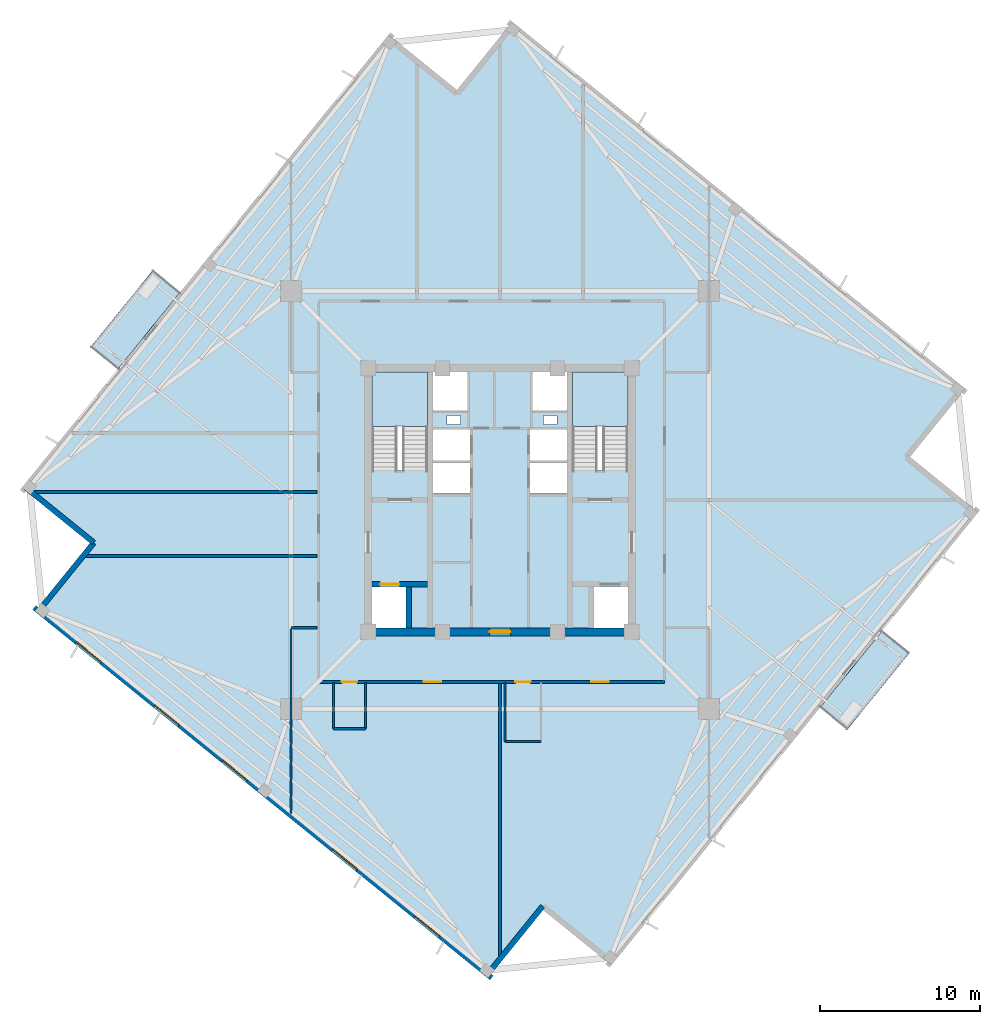
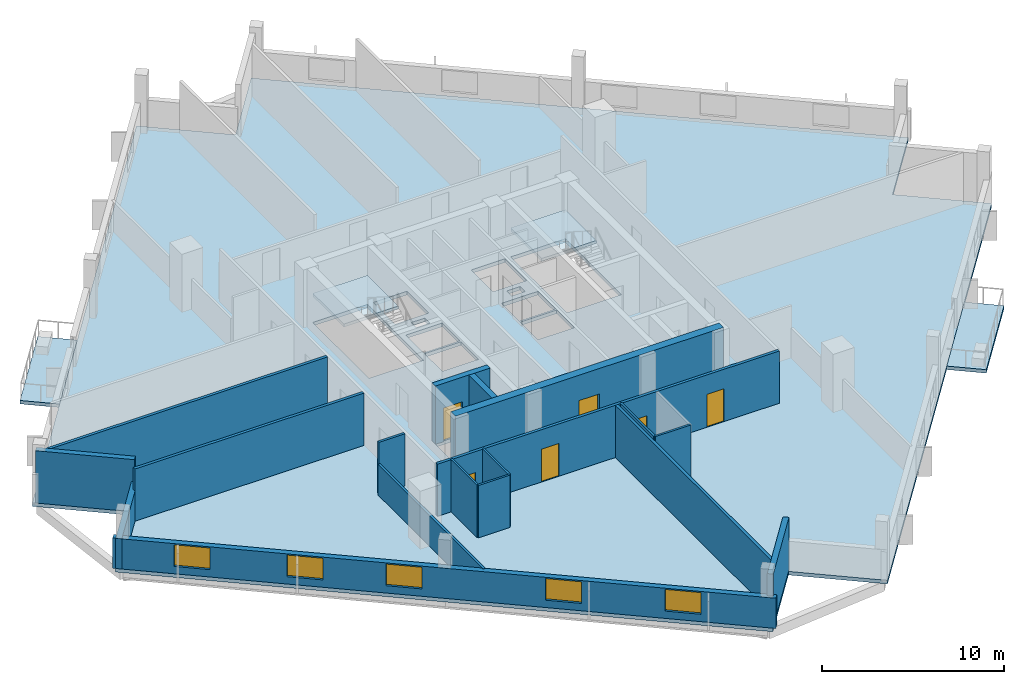
# One storey, part 2 of 9: 18 walls, 6 doors, 5 slabs, 5 windows, 11 openings, 2 elements without a shape of their own.
"""IFC4 building model written with IfcOpenShell, lengths in metres."""

from ifc_helpers import new_model, si_unit, direction, frame, frame_2d, origin, place, context, subcontext, project, spatial, polyline, rectangle, outline, extrude, source, transform, mapped, material, layer, layer_set, type_object, element, fill, aggregate, save


model = new_model("IFC4")

# Units and contexts
model_context = context("Model", 3, precision=1e-05, world=origin(), true_north=direction((0.0, 1.0)))
body_context = subcontext(model_context, "Body", "Model", "MODEL_VIEW")
ifc_project = project(units=[si_unit("LENGTHUNIT", "METRE"), si_unit("AREAUNIT", "SQUARE_METRE"), si_unit("VOLUMEUNIT", "CUBIC_METRE"), si_unit("PLANEANGLEUNIT", "RADIAN"), si_unit("MASSUNIT", "GRAM", prefix="KILO"), si_unit("THERMODYNAMICTEMPERATUREUNIT", "KELVIN")], contexts=[model_context])

# Site, building, storey
site_placement = place(None, origin())
site = spatial("IfcSite", under=ifc_project, at=site_placement, CompositionType="ELEMENT")
building_placement = place(site_placement, origin())
building = spatial("IfcBuilding", under=site, at=building_placement, Name="Kosmvard Interchange Tower", CompositionType="ELEMENT")
storey_placement = place(building_placement, frame((0.0, 0.0, 256.300048828125)))
storey = spatial("IfcBuildingStorey", under=building, at=storey_placement, Name="L62", CompositionType="ELEMENT", Elevation=256.300048828125)

# Slab
ifc_material_1 = material(Name="Concrete C50/60", Category="concrete")
ifc_layer_1 = layer(ifc_material_1, 0.239990234375, Name="Concrete C50/60")
ifc_layer_set_1 = layer_set([ifc_layer_1], Name="Concrete C50/60")
slab_type_1 = type_object("IfcSlabType", Name="High-Rise Suite Composite Slab 240 C50/60", PredefinedType="FLOOR", material=ifc_layer_set_1)
slab_1_placement = place(storey_placement, frame((0.0, 0.0, -0.239990234375)))
element("IfcSlab", 1, at=slab_1_placement, inside=storey, type_object=slab_type_1, Name="L62 Structural Floor Slab", PredefinedType="FLOOR", context=body_context, shape_type="SweptSolid", body=[
    extrude(outline(polyline([(6.97216796875, -29.12939453125), (29.9423828125, -0.763427734375), (25.66796875, 2.69775390625), (29.12939453125, 6.97216796875), (0.763427734375, 29.9423828125), (-2.69775390625, 25.66796875), (-6.97216796875, 29.12939453125), (-29.9423828125, 0.763427734375), (-25.66796875, -2.69775390625), (-29.12939453125, -6.97216796875), (-0.763427734375, -29.9423828125), (2.69775390625, -25.66796875), (6.97216796875, -29.12939453125)]), holes=[polyline([(-8.0, 1.8349609375), (-4.5400390625, 1.8349609375), (-4.5400390625, 8.0), (-8.0, 8.0), (-8.0, 1.8349609375)]), polyline([(4.5400390625, 1.8349609375), (8.0, 1.8349609375), (8.0, 8.0), (4.5400390625, 8.0), (4.5400390625, 1.8349609375)]), polyline([(-8.0, -8.0), (-5.800048828125, -8.0), (-5.800048828125, -5.39990234375), (-8.0, -5.39990234375), (-8.0, -8.0)]), polyline([(5.800048828125, -8.0), (8.0, -8.0), (8.0, -5.39990234375), (5.800048828125, -5.39990234375), (5.800048828125, -8.0)]), polyline([(-4.179931640625, 0.39990234375), (-1.8798828125, 0.39990234375), (-1.8798828125, 2.340087890625), (-4.179931640625, 2.340087890625), (-4.179931640625, 0.39990234375)]), polyline([(-4.179931640625, 2.4599609375), (-1.8798828125, 2.4599609375), (-1.8798828125, 4.39990234375), (-4.179931640625, 4.39990234375), (-4.179931640625, 2.4599609375)]), polyline([(1.8798828125, 0.39990234375), (4.179931640625, 0.39990234375), (4.179931640625, 2.340087890625), (1.8798828125, 2.340087890625), (1.8798828125, 0.39990234375)]), polyline([(1.8798828125, 2.4599609375), (4.179931640625, 2.4599609375), (4.179931640625, 4.39990234375), (1.8798828125, 4.39990234375), (1.8798828125, 2.4599609375)]), polyline([(-4.179931640625, 5.60009765625), (-2.0400390625, 5.60009765625), (-2.0400390625, 8.0), (-4.179931640625, 8.0), (-4.179931640625, 5.60009765625)]), polyline([(2.0400390625, 5.60009765625), (4.179931640625, 5.60009765625), (4.179931640625, 8.0), (2.0400390625, 8.0), (2.0400390625, 5.60009765625)]), polyline([(-3.31494140625, 4.739990234375), (-2.465087890625, 4.739990234375), (-2.465087890625, 5.2900390625), (-3.31494140625, 5.2900390625), (-3.31494140625, 4.739990234375)]), polyline([(2.715087890625, 4.739990234375), (3.56494140625, 4.739990234375), (3.56494140625, 5.2900390625), (2.715087890625, 5.2900390625), (2.715087890625, 4.739990234375)])]), origin(), (0.0, 0.0, 1.0), 0.239990234375),
])

# Stair, slab
stair_type = type_object("IfcStairType", Name="Dog-Leg Core Exit Stair H3900 C50/60", PredefinedType="HALF_TURN_STAIR", material=ifc_material_1)
stair_1_placement = place(storey_placement, origin())
stair_1 = element("IfcStair", 2, at=stair_1_placement, inside=storey, type_object=stair_type, Name="L62 Protected Exit Stair ST-1", PredefinedType="HALF_TURN_STAIR")
ifc_layer_2 = layer(ifc_material_1, 0.199951171875, Name="Concrete C50/60")
ifc_layer_set_2 = layer_set([ifc_layer_2], Name="Concrete C50/60")
slab_type_2 = type_object("IfcSlabType", Name="Stair Half-Landing Slab 200 C50/60", PredefinedType="LANDING", material=ifc_layer_set_2)
slab_2_placement = place(storey_placement, frame((0.0, 0.0, 1.75)))
slab_2 = element("IfcSlab", 3, at=slab_2_placement, type_object=slab_type_2, Name="ST-1 landing 1", PredefinedType="LANDING", context=body_context, shape_type="SweptSolid", body=[
    extrude(outline(polyline([(-4.5400390625, 4.60009765625), (-4.5400390625, 8.0), (-8.0, 8.0), (-8.0, 4.60009765625), (-4.5400390625, 4.60009765625)])), origin(), (0.0, 0.0, 1.0), 0.199951171875),
])
aggregate(stair_1, [slab_2])

stair_2_placement = place(storey_placement, origin())
stair_2 = element("IfcStair", 4, at=stair_2_placement, inside=storey, type_object=stair_type, Name="L62 Protected Exit Stair ST-2", PredefinedType="HALF_TURN_STAIR")
slab_3_placement = place(storey_placement, frame((0.0, 0.0, 1.75)))
slab_3 = element("IfcSlab", 5, at=slab_3_placement, type_object=slab_type_2, Name="ST-2 landing 1", PredefinedType="LANDING", context=body_context, shape_type="SweptSolid", body=[
    extrude(outline(polyline([(8.0, 4.60009765625), (8.0, 8.0), (4.5400390625, 8.0), (4.5400390625, 4.60009765625), (8.0, 4.60009765625)])), origin(), (0.0, 0.0, 1.0), 0.199951171875),
])
aggregate(stair_2, [slab_3])

# Slabs
ifc_layer_3 = layer(ifc_material_1, 0.22998046875, Name="Concrete C50/60")
ifc_layer_set_3 = layer_set([ifc_layer_3], Name="Concrete C50/60")
slab_type_3 = type_object("IfcSlabType", Name="Tree-Planter Cantilever Balcony Slab 230 C50/60", PredefinedType="FLOOR", material=ifc_layer_set_3)
slab_4_placement = place(storey_placement, frame((0.0, 0.0, -0.22998046875)))
element("IfcSlab", 6, at=slab_4_placement, inside=storey, type_object=slab_type_3, Name="L62 Outdoor Terrace Balcony Slab BAL-L62-NE", PredefinedType="FLOOR", context=body_context, shape_type="SweptSolid", body=[
    extrude(outline(polyline([(-23.932373046875, 8.185302734375), (-20.030517578125, 13.00341796875), (-21.740234375, 14.387939453125), (-25.64208984375, 9.569580078125), (-23.932373046875, 8.185302734375)])), origin(), (0.0, 0.0, 1.0), 0.22998046875),
])
slab_5_placement = place(storey_placement, frame((0.0, 0.0, -0.22998046875)))
element("IfcSlab", 7, at=slab_5_placement, inside=storey, type_object=slab_type_3, Name="L62 Outdoor Terrace Balcony Slab BAL-L62-SW", PredefinedType="FLOOR", context=body_context, shape_type="SweptSolid", body=[
    extrude(outline(polyline([(21.740234375, -14.387939453125), (25.64208984375, -9.569580078125), (23.932373046875, -8.185302734375), (20.030517578125, -13.00341796875), (21.740234375, -14.387939453125)])), origin(), (0.0, 0.0, 1.0), 0.22998046875),
])

# Walls
ifc_material_2 = material(Name="Acoustic gypsum partition system")
ifc_layer_4 = layer(ifc_material_2, 0.14990234375, Name="Acoustic gypsum partition system")
ifc_layer_set_4 = layer_set([ifc_layer_4], Name="Acoustic gypsum partition system")
wall_type_1 = type_object("IfcWallType", Name="Acoustic Suite & Meeting Partition 150", PredefinedType="PARTITIONING", material=ifc_layer_set_4)
wall_1_placement = place(storey_placement, frame((-11.445068359375, -8.0, 0.0), z_axis=(0.0, 0.0, 1.0), x_axis=(-1.0, 0.0, 0.0)))
element("IfcWall", 8, at=wall_1_placement, inside=storey, type_object=wall_type_1, Name="L62 Room Partition 13.1", PredefinedType="PARTITIONING", context=body_context, shape_type="SweptSolid", body=[
    extrude(rectangle(XDim=1.635986328125, YDim=0.14990234375, at=frame_2d((0.81787109375, 0.0))), origin(), (0.0, 0.0, 1.0), 3.5),
])
wall_2_placement = place(storey_placement, frame((-13.0810546875, -8.074951171875, 0.0), z_axis=(0.0, 0.0, 1.0), x_axis=(0.0, -1.0, 0.0)))
element("IfcWall", 9, at=wall_2_placement, inside=storey, type_object=wall_type_1, Name="L62 Room Partition 14.1", PredefinedType="PARTITIONING", context=body_context, shape_type="SweptSolid", body=[
    extrude(rectangle(XDim=11.5390625, YDim=0.14990234375, at=frame_2d((5.76953125, 0.0))), origin(), (0.0, 0.0, 1.0), 2.050048828125),
])

# Wall, openings, doors
ifc_material_3 = material(Name="Fire-rated gypsum partition system")
ifc_layer_5 = layer(ifc_material_3, 0.179931640625, Name="Fire-rated gypsum partition system")
ifc_layer_set_5 = layer_set([ifc_layer_5], Name="Fire-rated gypsum partition system")
wall_type_2 = type_object("IfcWallType", Name="Corridor & Hotel Compartment Partition 180", PredefinedType="PARTITIONING", material=ifc_layer_set_5)
wall_3_placement = place(storey_placement, frame((-11.35009765625, -11.39990234375, 0.0), z_axis=(0.0, 0.0, 1.0), x_axis=(1.0, 0.0, 0.0)))
wall_3 = element("IfcWall", 10, at=wall_3_placement, inside=storey, type_object=wall_type_2, Name="L62 Corridor Wall CS", PredefinedType="PARTITIONING", context=body_context, shape_type="SweptSolid", body=[
    extrude(rectangle(XDim=21.650146484375, YDim=0.179931640625, at=frame_2d((10.8251953125, 0.0))), origin(), (0.0, 0.0, 1.0), 3.5),
])
opening_1_placement = place(wall_3_placement, frame((1.455078125, 0.0, 0.0)))
opening_1 = element("IfcOpeningElement", 11, at=opening_1_placement, cuts=wall_3, Name="Opening L62-D01", PredefinedType="OPENING", context=body_context, shape_type="SweptSolid", body=[
    extrude(rectangle(XDim=0.949951171875, YDim=2.10009765625, at=frame_2d((0.47509765625, 1.050048828125))), frame((0.0, 0.10009765625, 0.0), z_axis=(0.0, -1.0, 0.0), x_axis=(1.0, 0.0, 0.0)), (0.0, 0.0, 1.0), 0.199951171875),
])
opening_2_placement = place(wall_3_placement, frame((12.31103515625, 0.0, 0.0)))
opening_2 = element("IfcOpeningElement", 12, at=opening_2_placement, cuts=wall_3, Name="Opening L62-D02", PredefinedType="OPENING", context=body_context, shape_type="SweptSolid", body=[
    extrude(rectangle(XDim=0.949951171875, YDim=2.10009765625, at=frame_2d((0.47509765625, 1.050048828125))), frame((0.0, 0.10009765625, 0.0), z_axis=(0.0, -1.0, 0.0), x_axis=(1.0, 0.0, 0.0)), (0.0, 0.0, 1.0), 0.199951171875),
])
opening_3_placement = place(wall_3_placement, frame((17.06005859375, 0.0, 0.0)))
opening_3 = element("IfcOpeningElement", 13, at=opening_3_placement, cuts=wall_3, Name="Opening L62-D11", PredefinedType="OPENING", context=body_context, shape_type="SweptSolid", body=[
    extrude(rectangle(XDim=1.10009765625, YDim=2.199951171875, at=frame_2d((0.550048828125, 1.10009765625))), frame((0.0, 0.10009765625, 0.0), z_axis=(0.0, -1.0, 0.0), x_axis=(1.0, 0.0, 0.0)), (0.0, 0.0, 1.0), 0.199951171875),
])
opening_4_placement = place(wall_3_placement, frame((6.583984375, 0.0, 0.0)))
opening_4 = element("IfcOpeningElement", 14, at=opening_4_placement, cuts=wall_3, Name="Opening L62-D12", PredefinedType="OPENING", context=body_context, shape_type="SweptSolid", body=[
    extrude(rectangle(XDim=1.10009765625, YDim=2.199951171875, at=frame_2d((0.550048828125, 1.10009765625))), frame((0.0, 0.10009765625, 0.0), z_axis=(0.0, -1.0, 0.0), x_axis=(1.0, 0.0, 0.0)), (0.0, 0.0, 1.0), 0.199951171875),
])
ifc_material_4 = material(Name="Laminated moisture-resistant timber", Category="wood")
door_type_1 = type_object("IfcDoorType", Name="Accessible Washroom Door 950x2100", OperationType="NOTDEFINED", PredefinedType="DOOR", material=ifc_material_4)
shared_shape_1 = source(origin(), body_context, "Body", "SweptSolid", [
    extrude(rectangle(XDim=0.949951171875, YDim=2.10009765625, at=frame_2d((0.47509765625, 1.050048828125))), frame((0.0, 0.02490234375, 0.0), z_axis=(0.0, -1.0, 0.0), x_axis=(1.0, 0.0, 0.0)), (0.0, 0.0, 1.0), 0.050048828125),
])
door_1_placement = place(opening_1_placement, frame((0.949951171875, 0.0, 0.0), z_axis=(0.0, 0.0, 1.0), x_axis=(-1.0, 0.0, 0.0)))
door_1 = element("IfcDoor", 15, at=door_1_placement, inside=storey, type_object=door_type_1, Name="L62 Accessible Toilet Door", OperationType="SINGLE_SWING_LEFT", OverallHeight=2.10009765625, OverallWidth=0.949951171875, PredefinedType="DOOR", context=body_context, shape_type="MappedRepresentation", body=[
    mapped(shared_shape_1, transform((0.0, 0.0, 0.0), scale=1.0)),
])
fill(opening_1, door_1)
door_2_placement = place(opening_2_placement, frame((0.949951171875, 0.0, 0.0), z_axis=(0.0, 0.0, 1.0), x_axis=(-1.0, 0.0, 0.0)))
door_2 = element("IfcDoor", 16, at=door_2_placement, inside=storey, type_object=door_type_1, Name="L62 Public Floor Washroom Door", OperationType="SINGLE_SWING_RIGHT", OverallHeight=2.10009765625, OverallWidth=0.949951171875, PredefinedType="DOOR", context=body_context, shape_type="MappedRepresentation", body=[
    mapped(shared_shape_1, transform((0.0, 0.0, 0.0), scale=1.0)),
])
fill(opening_2, door_2)
ifc_material_5 = material(Name="Engineered oak fire-rated timber", Category="wood")
door_type_2 = type_object("IfcDoorType", Name="Office Suite Entrance Door 1100x2200 FD30S", OperationType="NOTDEFINED", PredefinedType="DOOR", material=ifc_material_5)
shared_shape_2 = source(origin(), body_context, "Body", "SweptSolid", [
    extrude(rectangle(XDim=1.10009765625, YDim=2.199951171875, at=frame_2d((0.550048828125, 1.10009765625))), frame((0.0, 0.02490234375, 0.0), z_axis=(0.0, -1.0, 0.0), x_axis=(1.0, 0.0, 0.0)), (0.0, 0.0, 1.0), 0.050048828125),
])
door_3_placement = place(opening_3_placement, frame((1.10009765625, 0.0, 0.0), z_axis=(0.0, 0.0, 1.0), x_axis=(-1.0, 0.0, 0.0)))
door_3 = element("IfcDoor", 17, at=door_3_placement, inside=storey, type_object=door_type_2, Name="L62 Registry Vault Store Door", OperationType="SINGLE_SWING_LEFT", OverallHeight=2.199951171875, OverallWidth=1.10009765625, PredefinedType="DOOR", context=body_context, shape_type="MappedRepresentation", body=[
    mapped(shared_shape_2, transform((0.0, 0.0, 0.0), scale=1.0)),
])
fill(opening_3, door_3)
door_4_placement = place(opening_4_placement, frame((1.10009765625, 0.0, 0.0), z_axis=(0.0, 0.0, 1.0), x_axis=(-1.0, 0.0, 0.0)))
door_4 = element("IfcDoor", 18, at=door_4_placement, inside=storey, type_object=door_type_2, Name="L62 Partner Reading Study Door", OperationType="SINGLE_SWING_RIGHT", OverallHeight=2.199951171875, OverallWidth=1.10009765625, PredefinedType="DOOR", context=body_context, shape_type="MappedRepresentation", body=[
    mapped(shared_shape_2, transform((0.0, 0.0, 0.0), scale=1.0)),
])
fill(opening_4, door_4)

# Walls
wall_4_placement = place(storey_placement, frame((0.0, -11.4951171875, 0.0), z_axis=(0.0, 0.0, 1.0), x_axis=(0.0, -1.0, 0.0)))
element("IfcWall", 19, at=wall_4_placement, inside=storey, type_object=wall_type_2, Name="L62 Room Partition 05.1", PredefinedType="PARTITIONING", context=body_context, shape_type="SweptSolid", body=[
    extrude(rectangle(XDim=17.0673828125, YDim=0.179931640625, at=frame_2d((8.53369140625, 0.0))), origin(), (0.0, 0.0, 1.0), 3.5),
])
wall_5_placement = place(storey_placement, frame((-11.445068359375, -3.5, 0.0), z_axis=(0.0, 0.0, 1.0), x_axis=(-1.0, 0.0, 0.0)))
element("IfcWall", 20, at=wall_5_placement, inside=storey, type_object=wall_type_2, Name="L62 Room Partition 06.1", PredefinedType="PARTITIONING", context=body_context, shape_type="SweptSolid", body=[
    extrude(rectangle(XDim=14.518798828125, YDim=0.179931640625, at=frame_2d((7.25927734375, 0.0))), origin(), (0.0, 0.0, 1.0), 3.5),
])
wall_6_placement = place(storey_placement, frame((-11.445068359375, 0.5, 0.0), z_axis=(0.0, 0.0, 1.0), x_axis=(-1.0, 0.0, 0.0)))
element("IfcWall", 21, at=wall_6_placement, inside=storey, type_object=wall_type_2, Name="L62 Room Partition 07.1", PredefinedType="PARTITIONING", context=body_context, shape_type="SweptSolid", body=[
    extrude(rectangle(XDim=17.73486328125, YDim=0.179931640625, at=frame_2d((8.867431640625, 0.0))), origin(), (0.0, 0.0, 1.0), 3.5),
])
ifc_material_6 = material(Name="Precast concrete C45/55", Category="concrete")
ifc_layer_6 = layer(ifc_material_6, 0.340087890625, Name="Precast concrete C45/55")
ifc_layer_set_6 = layer_set([ifc_layer_6], Name="Precast concrete C45/55")
wall_type_3 = type_object("IfcWallType", Name="Mid Tower Precast Pier Wall 340 C45/55", PredefinedType="STANDARD", material=ifc_layer_set_6)
wall_7_placement = place(storey_placement, frame((-29.703125, 0.78857421875, 0.0), z_axis=(0.0, 0.0, 1.0), x_axis=(0.77714355312, -0.629323365087, 0.0)))
element("IfcWall", 22, at=wall_7_placement, inside=storey, type_object=wall_type_3, Name="L62 Precast Facade Wall N-NW1", PredefinedType="STANDARD", context=body_context, shape_type="SweptSolid", body=[
    extrude(rectangle(XDim=5.499755859375, YDim=0.340087890625, at=frame_2d((2.75, 0.0))), origin(), (0.0, 0.0, 1.0), 3.5),
])
wall_8_placement = place(storey_placement, frame((-25.428955078125, -2.672607421875, 0.0), z_axis=(0.0, 0.0, 1.0), x_axis=(-0.629299794138, -0.777162640055, 0.0)))
element("IfcWall", 23, at=wall_8_placement, inside=storey, type_object=wall_type_3, Name="L62 Precast Facade Wall N-NW2", PredefinedType="STANDARD", context=body_context, shape_type="SweptSolid", body=[
    extrude(rectangle(XDim=5.669921875, YDim=0.340087890625, at=frame_2d((2.8349609375, 0.0))), origin(), (0.0, 0.0, 1.0), 2.02001953125),
])

# Wall, openings, windows
wall_9_placement = place(storey_placement, frame((-29.154296875, -6.73291015625, 0.0), z_axis=(0.0, 0.0, 1.0), x_axis=(0.77714192302, -0.629325378072, 0.0)))
wall_9 = element("IfcWall", 24, at=wall_9_placement, inside=storey, type_object=wall_type_3, Name="L62 Precast Facade Wall F-W", PredefinedType="STANDARD", context=body_context, shape_type="SweptSolid", body=[
    extrude(rectangle(XDim=36.840087890625, YDim=0.340087890625, at=frame_2d((18.419921875, 0.0))), origin(), (0.0, 0.0, 1.0), 2.02001953125),
])
opening_5_placement = place(wall_9_placement, frame((3.4208984375, 0.0, 0.489990234375)))
opening_5 = element("IfcOpeningElement", 25, at=opening_5_placement, cuts=wall_9, Name="Opening L62-W16", PredefinedType="OPENING", context=body_context, shape_type="SweptSolid", body=[
    extrude(rectangle(XDim=2.0, YDim=1.449951171875, at=frame_2d((1.0, 0.72509765625))), frame((0.0, 0.18017578125, 0.0), z_axis=(0.0, -1.0, 0.0), x_axis=(1.0, 0.0, 0.0)), (0.0, 0.0, 1.0), 0.360107421875),
])
opening_6_placement = place(wall_9_placement, frame((9.68359375, 0.0, 0.489990234375)))
opening_6 = element("IfcOpeningElement", 26, at=opening_6_placement, cuts=wall_9, Name="Opening L62-W17", PredefinedType="OPENING", context=body_context, shape_type="SweptSolid", body=[
    extrude(rectangle(XDim=2.0, YDim=1.449951171875, at=frame_2d((1.0, 0.72509765625))), frame((0.0, 0.18017578125, 0.0), z_axis=(0.0, -1.0, 0.0), x_axis=(1.0, 0.0, 0.0)), (0.0, 0.0, 1.0), 0.360107421875),
])
opening_7_placement = place(wall_9_placement, frame((15.18310546875, 0.0, 0.489990234375)))
opening_7 = element("IfcOpeningElement", 27, at=opening_7_placement, cuts=wall_9, Name="Opening L62-W18", PredefinedType="OPENING", context=body_context, shape_type="SweptSolid", body=[
    extrude(rectangle(XDim=2.0, YDim=1.449951171875, at=frame_2d((1.0, 0.72509765625))), frame((0.0, 0.18017578125, 0.0), z_axis=(0.0, -1.0, 0.0), x_axis=(1.0, 0.0, 0.0)), (0.0, 0.0, 1.0), 0.360107421875),
])
opening_8_placement = place(wall_9_placement, frame((24.05126953125, 0.0, 0.489990234375)))
opening_8 = element("IfcOpeningElement", 28, at=opening_8_placement, cuts=wall_9, Name="Opening L62-W19", PredefinedType="OPENING", context=body_context, shape_type="SweptSolid", body=[
    extrude(rectangle(XDim=2.0, YDim=1.449951171875, at=frame_2d((1.0, 0.72509765625))), frame((0.0, 0.18017578125, 0.0), z_axis=(0.0, -1.0, 0.0), x_axis=(1.0, 0.0, 0.0)), (0.0, 0.0, 1.0), 0.360107421875),
])
opening_9_placement = place(wall_9_placement, frame((30.682373046875, 0.0, 0.489990234375)))
opening_9 = element("IfcOpeningElement", 29, at=opening_9_placement, cuts=wall_9, Name="Opening L62-W20", PredefinedType="OPENING", context=body_context, shape_type="SweptSolid", body=[
    extrude(rectangle(XDim=2.0, YDim=1.449951171875, at=frame_2d((1.0, 0.72509765625))), frame((0.0, 0.18017578125, 0.0), z_axis=(0.0, -1.0, 0.0), x_axis=(1.0, 0.0, 0.0)), (0.0, 0.0, 1.0), 0.360107421875),
])
ifc_material_7 = material(Name="Low-E solar-control double glazing", Category="glass")
window_type = type_object("IfcWindowType", Name="Transfer Zone Punched Window 2000x1450", PartitioningType="SINGLE_PANEL", PredefinedType="WINDOW", material=ifc_material_7)
shared_shape_3 = source(origin(), body_context, "Body", "SweptSolid", [
    extrude(rectangle(XDim=2.0, YDim=1.449951171875, at=frame_2d((1.0, 0.72509765625))), frame((0.0, 0.030029296875, 0.0), z_axis=(0.0, -1.0, 0.0), x_axis=(1.0, 0.0, 0.0)), (0.0, 0.0, 1.0), 0.06005859375),
])
window_1_placement = place(opening_5_placement, origin())
window_1 = element("IfcWindow", 30, at=window_1_placement, inside=storey, type_object=window_type, Name="L62 Facade Punched Window 16", OverallHeight=1.449951171875, OverallWidth=2.0, PartitioningType="SINGLE_PANEL", PredefinedType="WINDOW", context=body_context, shape_type="MappedRepresentation", body=[
    mapped(shared_shape_3, transform((0.0, 0.0, 0.0), scale=1.0)),
])
fill(opening_5, window_1)
window_2_placement = place(opening_6_placement, origin())
window_2 = element("IfcWindow", 31, at=window_2_placement, inside=storey, type_object=window_type, Name="L62 Facade Punched Window 17", OverallHeight=1.449951171875, OverallWidth=2.0, PartitioningType="SINGLE_PANEL", PredefinedType="WINDOW", context=body_context, shape_type="MappedRepresentation", body=[
    mapped(shared_shape_3, transform((0.0, 0.0, 0.0), scale=1.0)),
])
fill(opening_6, window_2)
window_3_placement = place(opening_7_placement, origin())
window_3 = element("IfcWindow", 32, at=window_3_placement, inside=storey, type_object=window_type, Name="L62 Facade Punched Window 18", OverallHeight=1.449951171875, OverallWidth=2.0, PartitioningType="SINGLE_PANEL", PredefinedType="WINDOW", context=body_context, shape_type="MappedRepresentation", body=[
    mapped(shared_shape_3, transform((0.0, 0.0, 0.0), scale=1.0)),
])
fill(opening_7, window_3)
window_4_placement = place(opening_8_placement, origin())
window_4 = element("IfcWindow", 33, at=window_4_placement, inside=storey, type_object=window_type, Name="L62 Facade Punched Window 19", OverallHeight=1.449951171875, OverallWidth=2.0, PartitioningType="SINGLE_PANEL", PredefinedType="WINDOW", context=body_context, shape_type="MappedRepresentation", body=[
    mapped(shared_shape_3, transform((0.0, 0.0, 0.0), scale=1.0)),
])
fill(opening_8, window_4)
window_5_placement = place(opening_9_placement, origin())
window_5 = element("IfcWindow", 34, at=window_5_placement, inside=storey, type_object=window_type, Name="L62 Facade Punched Window 20", OverallHeight=1.449951171875, OverallWidth=2.0, PartitioningType="SINGLE_PANEL", PredefinedType="WINDOW", context=body_context, shape_type="MappedRepresentation", body=[
    mapped(shared_shape_3, transform((0.0, 0.0, 0.0), scale=1.0)),
])
fill(opening_9, window_5)

# Wall
wall_10_placement = place(storey_placement, frame((-0.78857421875, -29.703125, 0.0), z_axis=(0.0, 0.0, 1.0), x_axis=(0.629323365087, 0.77714355312, 0.0)))
element("IfcWall", 35, at=wall_10_placement, inside=storey, type_object=wall_type_3, Name="L62 Precast Facade Wall N-SW1", PredefinedType="STANDARD", context=body_context, shape_type="SweptSolid", body=[
    extrude(rectangle(XDim=5.499755859375, YDim=0.340087890625, at=frame_2d((2.75, 0.0))), origin(), (0.0, 0.0, 1.0), 3.5),
])

# Wall, opening, door
ifc_material_8 = material(Name="Concrete C60/75", Category="concrete")
ifc_layer_7 = layer(ifc_material_8, 0.360107421875, Name="Concrete C60/75")
ifc_layer_set_7 = layer_set([ifc_layer_7], Name="Concrete C60/75")
wall_type_4 = type_object("IfcWallType", Name="Stair & Lift Shaft Shear Wall 360 C60/75", PredefinedType="SHEAR", material=ifc_layer_set_7)
wall_11_placement = place(storey_placement, frame((-8.0, -5.280029296875, 0.0), z_axis=(0.0, 0.0, 1.0), x_axis=(1.0, 0.0, 0.0)))
wall_11 = element("IfcWall", 36, at=wall_11_placement, inside=storey, type_object=wall_type_4, Name="L62 Shaft Shear Wall SW-FF1", PredefinedType="SHEAR", context=body_context, shape_type="SweptSolid", body=[
    extrude(rectangle(XDim=3.4599609375, YDim=0.360107421875, at=frame_2d((1.72998046875, 0.0))), origin(), (0.0, 0.0, 1.0), 3.89990234375),
])
opening_10_placement = place(wall_11_placement, frame((0.5, 0.0, 0.0)))
opening_10 = element("IfcOpeningElement", 37, at=opening_10_placement, cuts=wall_11, Name="Opening LD-FF-1-L62", PredefinedType="OPENING", context=body_context, shape_type="SweptSolid", body=[
    extrude(rectangle(XDim=1.199951171875, YDim=2.25, at=frame_2d((0.60009765625, 1.125))), frame((0.0, 0.18994140625, 0.0), z_axis=(0.0, -1.0, 0.0), x_axis=(1.0, 0.0, 0.0)), (0.0, 0.0, 1.0), 0.380126953125),
])
ifc_material_9 = material(Name="Brushed stainless steel sliding leaf", Category="steel")
door_type_3 = type_object("IfcDoorType", Name="Firefighting Lift Sliding Landing Door 1200x2250 EI120", OperationType="DOUBLE_DOOR_SLIDING", PredefinedType="DOOR", material=ifc_material_9)
shared_shape_4 = source(origin(), body_context, "Body", "SweptSolid", [
    extrude(rectangle(XDim=1.199951171875, YDim=2.25, at=frame_2d((0.60009765625, 1.125))), frame((0.0, 0.02490234375, 0.0), z_axis=(0.0, -1.0, 0.0), x_axis=(1.0, 0.0, 0.0)), (0.0, 0.0, 1.0), 0.050048828125),
])
door_5_placement = place(opening_10_placement, origin())
door_5 = element("IfcDoor", 38, at=door_5_placement, inside=storey, type_object=door_type_3, Name="Lift FF-1 Landing Door L62", OperationType="DOUBLE_DOOR_SLIDING", OverallHeight=2.25, OverallWidth=1.199951171875, PredefinedType="DOOR", context=body_context, shape_type="MappedRepresentation", body=[
    mapped(shared_shape_4, transform((0.0, 0.0, 0.0), scale=1.0)),
])
fill(opening_10, door_5)

# Wall
wall_12_placement = place(storey_placement, frame((-5.7099609375, -8.0, 0.0), z_axis=(0.0, 0.0, 1.0), x_axis=(0.0, 1.0, 0.0)))
element("IfcWall", 39, at=wall_12_placement, inside=storey, type_object=wall_type_4, Name="L62 Shaft Shear Wall SW-SM1", PredefinedType="SHEAR", context=body_context, shape_type="SweptSolid", body=[
    extrude(rectangle(XDim=2.5400390625, YDim=0.360107421875, at=frame_2d((1.27001953125, 0.0))), origin(), (0.0, 0.0, 1.0), 3.89990234375),
])

# Wall, opening, door
ifc_layer_8 = layer(ifc_material_8, 0.5, Name="Concrete C60/75")
ifc_layer_set_8 = layer_set([ifc_layer_8], Name="Concrete C60/75")
wall_type_5 = type_object("IfcWallType", Name="Upper Core Shear Wall 500 C60/75", PredefinedType="SHEAR", material=ifc_layer_set_8)
wall_13_placement = place(storey_placement, frame((-8.5, -8.25, 0.0), z_axis=(0.0, 0.0, 1.0), x_axis=(1.0, 0.0, 0.0)))
wall_13 = element("IfcWall", 40, at=wall_13_placement, inside=storey, type_object=wall_type_5, Name="L62 Core Shear Wall CW-S", PredefinedType="SHEAR", context=body_context, shape_type="SweptSolid", body=[
    extrude(rectangle(XDim=17.0, YDim=0.5, at=frame_2d((8.5, 0.0))), origin(), (0.0, 0.0, 1.0), 3.89990234375),
])
opening_11_placement = place(wall_13_placement, frame((7.85009765625, 0.0, 0.0)))
opening_11 = element("IfcOpeningElement", 41, at=opening_11_placement, cuts=wall_13, Name="Opening L62-LD0", PredefinedType="OPENING", context=body_context, shape_type="SweptSolid", body=[
    extrude(rectangle(XDim=1.300048828125, YDim=2.199951171875, at=frame_2d((0.64990234375, 1.10009765625))), frame((0.0, 0.260009765625, 0.0), z_axis=(0.0, -1.0, 0.0), x_axis=(1.0, 0.0, 0.0)), (0.0, 0.0, 1.0), 0.52001953125),
])
ifc_material_10 = material(Name="Painted fire-rated steel leaf", Category="steel")
door_type_4 = type_object("IfcDoorType", Name="Firefighting Lobby Door 1300x2200 EI60", OperationType="NOTDEFINED", PredefinedType="DOOR", material=ifc_material_10)
shared_shape_5 = source(origin(), body_context, "Body", "SweptSolid", [
    extrude(rectangle(XDim=1.300048828125, YDim=2.199951171875, at=frame_2d((0.64990234375, 1.10009765625))), frame((0.0, 0.02490234375, 0.0), z_axis=(0.0, -1.0, 0.0), x_axis=(1.0, 0.0, 0.0)), (0.0, 0.0, 1.0), 0.050048828125),
])
door_6_placement = place(opening_11_placement, frame((1.300048828125, 0.0, 0.0), z_axis=(0.0, 0.0, 1.0), x_axis=(-1.0, 0.0, 0.0)))
door_6 = element("IfcDoor", 42, at=door_6_placement, inside=storey, type_object=door_type_4, Name="L62 Passenger Lift Lobby South Door", OperationType="SINGLE_SWING_LEFT", OverallHeight=2.199951171875, OverallWidth=1.300048828125, PredefinedType="DOOR", context=body_context, shape_type="MappedRepresentation", body=[
    mapped(shared_shape_5, transform((0.0, 0.0, 0.0), scale=1.0)),
])
fill(opening_11, door_6)

# Walls
ifc_material_11 = material(Name="Moisture-resistant gypsum partition")
ifc_layer_9 = layer(ifc_material_11, 0.135009765625, Name="Moisture-resistant gypsum partition")
ifc_layer_set_9 = layer_set([ifc_layer_9], Name="Moisture-resistant gypsum partition")
wall_type_6 = type_object("IfcWallType", Name="Wet Room Moisture-Resistant Partition 135", PredefinedType="PARTITIONING", material=ifc_layer_set_9)
wall_14_placement = place(storey_placement, frame((-10.419921875, -14.320068359375, 0.0), z_axis=(0.0, 0.0, 1.0), x_axis=(1.0, 0.0, 0.0)))
element("IfcWall", 43, at=wall_14_placement, inside=storey, type_object=wall_type_6, Name="L62 Washroom Partition AWC1-S", PredefinedType="PARTITIONING", context=body_context, shape_type="SweptSolid", body=[
    extrude(rectangle(XDim=2.0, YDim=0.135009765625, at=frame_2d((1.0, 0.0))), origin(), (0.0, 0.0, 1.0), 3.5),
])
for number, where, z_axis, x_axis, name in (
    (44, (-8.419921875, -14.320068359375, 0.0), (0.0, 0.0, 1.0), (0.0, 1.0, 0.0), "L62 Washroom Partition AWC1-E"),
    (45, (-10.419921875, -14.320068359375, 0.0), (0.0, 0.0, 1.0), (0.0, 1.0, 0.0), "L62 Washroom Partition AWC1-W"),
):
    element("IfcWall", number, at=place(storey_placement, frame(where, z_axis=z_axis, x_axis=x_axis)), inside=storey, type_object=wall_type_6, Name=name, PredefinedType="PARTITIONING", context=body_context, shape_type="SweptSolid", body=[
        extrude(rectangle(XDim=2.900146484375, YDim=0.135009765625, at=frame_2d((1.4501953125, 0.0))), origin(), (0.0, 0.0, 1.0), 3.5),
    ])
wall_15_placement = place(storey_placement, frame((0.31103515625, -15.1201171875, 0.0), z_axis=(0.0, 0.0, 1.0), x_axis=(1.0, 0.0, 0.0)))
element("IfcWall", 46, at=wall_15_placement, inside=storey, type_object=wall_type_6, Name="L62 Washroom Partition WC1-S", PredefinedType="PARTITIONING", context=body_context, shape_type="SweptSolid", body=[
    extrude(rectangle(XDim=2.25, YDim=0.135009765625, at=frame_2d((1.125, 0.0))), origin(), (0.0, 0.0, 1.0), 3.5),
])
wall_16_placement = place(storey_placement, frame((0.31103515625, -15.1201171875, 0.0), z_axis=(0.0, 0.0, 1.0), x_axis=(0.0, 1.0, 0.0)))
element("IfcWall", 47, at=wall_16_placement, inside=storey, type_object=wall_type_6, Name="L62 Washroom Partition WC1-W", PredefinedType="PARTITIONING", context=body_context, shape_type="SweptSolid", body=[
    extrude(rectangle(XDim=3.7001953125, YDim=0.135009765625, at=frame_2d((1.85009765625, 0.0))), origin(), (0.0, 0.0, 1.0), 3.5),
])

save(model, "model.ifc")
